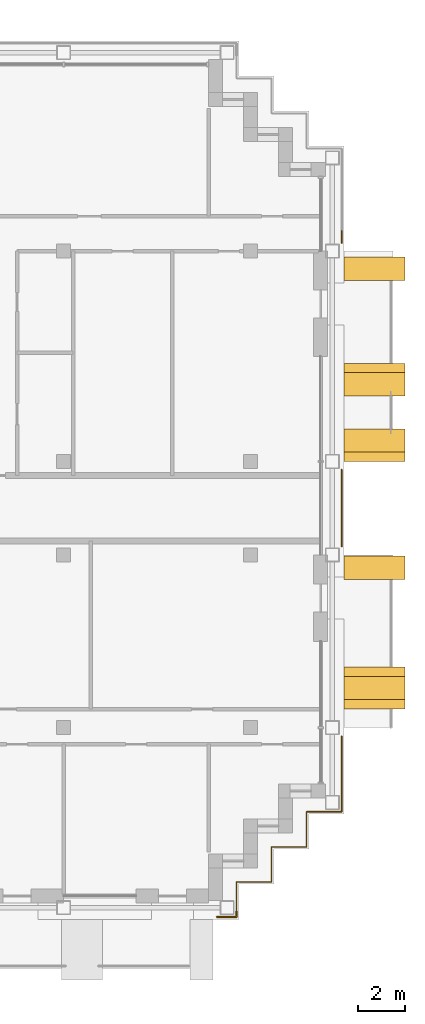
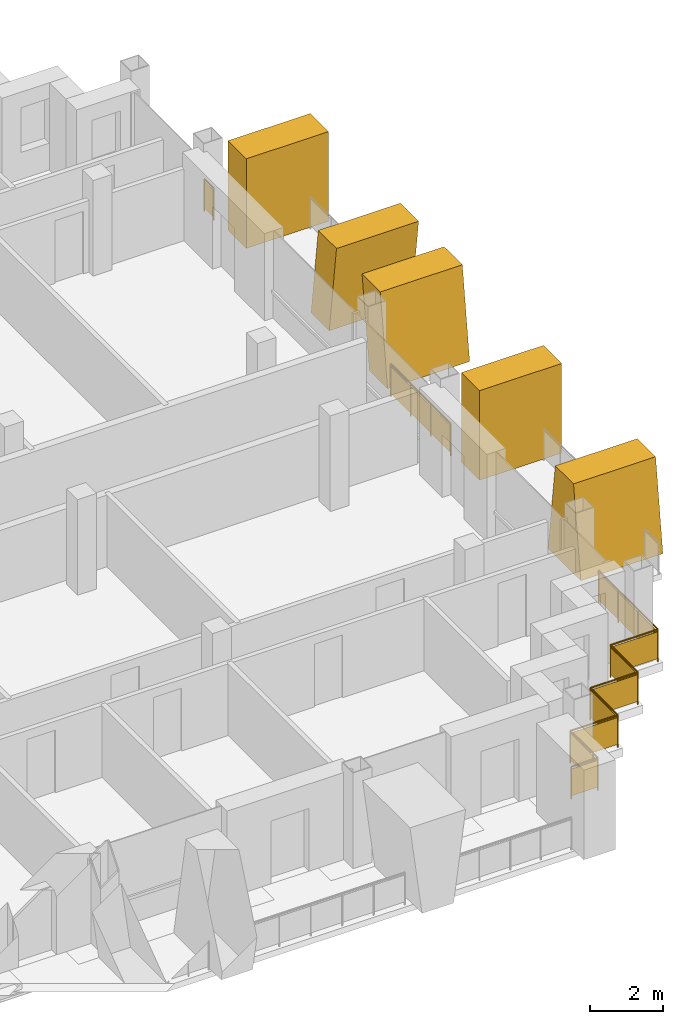
# One storey, part 13 of 15: 5 shading devices, 4 railings.
"""IFC4 building model written with IfcOpenShell, lengths in metres."""

from ifc_helpers import new_model, si_unit, direction, frame, origin, origin_2d, place, context, subcontext, project, spatial, polyline, rectangle, circle, outline, extrude, material, layer, layer_set, type_object, element, save


model = new_model("IFC4")

# Units and contexts
model_context = context("Model", 3, precision=1e-05, world=origin(), true_north=direction((0.0, 1.0)))
body_context = subcontext(model_context, "Body", "Model", "MODEL_VIEW")
ifc_project = project(units=[si_unit("LENGTHUNIT", "METRE"), si_unit("AREAUNIT", "SQUARE_METRE"), si_unit("VOLUMEUNIT", "CUBIC_METRE"), si_unit("PLANEANGLEUNIT", "RADIAN"), si_unit("MASSUNIT", "GRAM", prefix="KILO")], contexts=[model_context])

# Site, building, storey
site_placement = place(None, origin())
site = spatial("IfcSite", under=ifc_project, at=site_placement, CompositionType="ELEMENT")
building_placement = place(site_placement, origin())
building = spatial("IfcBuilding", under=site, at=building_placement, Name="Vidyagriha Tower", CompositionType="ELEMENT")
storey_placement = place(building_placement, frame((0.0, 0.0, 233.199951171875)))
storey = spatial("IfcBuildingStorey", under=building, at=storey_placement, Name="L61", CompositionType="ELEMENT", Elevation=233.199951171875)

# Shading devices
ifc_material_1 = material(Name="Precast concrete C40/50 with buff brick facing", Category="concrete")
ifc_layer_1 = layer(ifc_material_1, 1.0)
ifc_layer_set_1 = layer_set([ifc_layer_1], Name="Precast concrete C40/50 with buff brick facing")
shading_device_type_1 = type_object("IfcShadingDeviceType", Name="Brick-faced blade fin arm leaning 8 degrees", PredefinedType="USERDEFINED", material=ifc_layer_set_1)
shading_device_1_placement = place(storey_placement, frame((31.300048828125, 4.800048828125, 0.0), z_axis=(0.0, 0.0, 1.0), x_axis=(0.0, 1.0, 0.0)))
element("IfcShadingDevice", 1, at=shading_device_1_placement, inside=storey, type_object=shading_device_type_1, Name="Leaning blade fin L61 R30.1380a", ObjectType="BLADE FIN", PredefinedType="USERDEFINED", context=body_context, shape_type="SweptSolid", body=[
    extrude(outline(polyline([(0.39990234375, 0.0), (1.39990234375, 0.0), (1.0, 3.0), (0.0, 3.0), (0.39990234375, 0.0)])), frame((0.0, 1.300048828125, 0.0), z_axis=(0.0, -1.0, 0.0), x_axis=(1.0, 0.0, 0.0)), (0.0, 0.0, 1.0), 2.60009765625),
])
shading_device_2_placement = place(storey_placement, frame((31.300048828125, 2.0, 0.0), z_axis=(0.0, 0.0, 1.0), x_axis=(0.0, 1.0, 0.0)))
element("IfcShadingDevice", 2, at=shading_device_2_placement, inside=storey, type_object=shading_device_type_1, Name="Leaning blade fin L61 R30.1380b", ObjectType="BLADE FIN", PredefinedType="USERDEFINED", context=body_context, shape_type="SweptSolid", body=[
    extrude(outline(polyline([(0.0, 0.0), (1.0, 0.0), (1.39990234375, 3.0), (0.39990234375, 3.0), (0.0, 0.0)])), frame((0.0, 1.300048828125, 0.0), z_axis=(0.0, -1.0, 0.0), x_axis=(1.0, 0.0, 0.0)), (0.0, 0.0, 1.0), 2.60009765625),
])
ifc_material_2 = material(Name="Precast concrete C40/50 with buff brick facing", Category="concrete")
ifc_layer_2 = layer(ifc_material_2, 1.0)
ifc_layer_set_2 = layer_set([ifc_layer_2], Name="Precast concrete C40/50 with buff brick facing")
shading_device_type_2 = type_object("IfcShadingDeviceType", Name="Brick-faced blade fin forking 8 degrees", PredefinedType="USERDEFINED", material=ifc_layer_set_2)
shading_device_3_placement = place(storey_placement, frame((31.300048828125, -8.60009765625, 0.0), z_axis=(0.0, 0.0, 1.0), x_axis=(0.0, 1.0, 0.0)))
element("IfcShadingDevice", 3, at=shading_device_3_placement, inside=storey, type_object=shading_device_type_2, Name="Forked blade fin L61 R30.240a", ObjectType="BLADE FIN", PredefinedType="USERDEFINED", context=body_context, shape_type="SweptSolid", body=[
    extrude(outline(polyline([(0.0, 0.0), (1.800048828125, 0.0), (1.39990234375, 3.0), (0.39990234375, 3.0), (0.0, 0.0)])), frame((0.0, 1.300048828125, 0.0), z_axis=(0.0, -1.0, 0.0), x_axis=(1.0, 0.0, 0.0)), (0.0, 0.0, 1.0), 2.60009765625),
])
ifc_material_3 = material(Name="Precast concrete C40/50 with buff brick facing", Category="concrete")
ifc_layer_3 = layer(ifc_material_3, 1.0)
ifc_layer_set_3 = layer_set([ifc_layer_3], Name="Precast concrete C40/50 with buff brick facing")
shading_device_type_3 = type_object("IfcShadingDeviceType", Name="Brick-faced blade fin stem 1000", PredefinedType="USERDEFINED", material=ifc_layer_set_3)
for number, where, z_axis, x_axis, name in (
    (4, (31.300048828125, -3.050048828125, 0.0), (0.0, 0.0, 1.0), (0.0, 1.0, 0.0), "Stem blade fin L61 R30.980a"),
    (5, (31.300048828125, 9.75, 0.0), (0.0, 0.0, 1.0), (0.0, 1.0, 0.0), "Stem blade fin L61 R30.2280a"),
):
    element("IfcShadingDevice", number, at=place(storey_placement, frame(where, z_axis=z_axis, x_axis=x_axis)), inside=storey, type_object=shading_device_type_3, Name=name, ObjectType="BLADE FIN", PredefinedType="USERDEFINED", context=body_context, shape_type="SweptSolid", body=[
        extrude(outline(polyline([(0.0, 0.0), (1.0, 0.0), (1.0, 3.0), (0.0, 3.0), (0.0, 0.0)])), frame((0.0, 1.300048828125, 0.0), z_axis=(0.0, -1.0, 0.0), x_axis=(1.0, 0.0, 0.0)), (0.0, 0.0, 1.0), 2.60009765625),
    ])

# Railings
ifc_material_4 = material(Name="Steel ASTM A500 Grade C black painted", Category="steel")
railing_type = type_object("IfcRailingType", Name="Gallery guard 1100", PredefinedType="GUARDRAIL", material=ifc_material_4)
railing_1_placement = place(storey_placement, frame((29.89990234375, 11.8701171875, 0.0)))
element("IfcRailing", 6, at=railing_1_placement, inside=storey, type_object=railing_type, Name="Gallery guard L61 9", PredefinedType="GUARDRAIL", context=body_context, shape_type="SweptSolid", body=[
    extrude(circle(Radius=0.02490234375, at=origin_2d()), frame((0.0, 0.0, 1.0751953125), z_axis=(0.0, -1.0, 0.0), x_axis=(1.0, 0.0, 0.0)), (0.0, 0.0, 1.0), 0.510009765625),
    extrude(circle(Radius=0.02001953125, at=origin_2d()), origin(), (0.0, 0.0, 1.0), 1.050048828125),
    extrude(circle(Radius=0.02001953125, at=origin_2d()), frame((0.0, -0.510009765625, 0.0)), (0.0, 0.0, 1.0), 1.050048828125),
    extrude(rectangle(XDim=0.010009765625, YDim=0.900146484375, at=origin_2d()), frame((0.0, 0.0, 0.550048828125), z_axis=(0.0, -1.0, 0.0), x_axis=(1.0, 0.0, 0.0)), (0.0, 0.0, 1.0), 0.510009765625),
])
railing_2_placement = place(storey_placement, frame((29.89990234375, -9.760009765625, 0.0)))
element("IfcRailing", 7, at=railing_2_placement, inside=storey, type_object=railing_type, Name="Gallery guard L61 10", PredefinedType="GUARDRAIL", context=body_context, shape_type="SweptSolid", body=[
    extrude(circle(Radius=0.02490234375, at=origin_2d()), frame((0.0, 0.0, 1.0751953125), z_axis=(0.0, -1.0, 0.0), x_axis=(1.0, 0.0, 0.0)), (0.0, 0.0, 1.0), 3.239990234375),
    extrude(circle(Radius=0.02490234375, at=origin_2d()), frame((0.0, -3.239990234375, 1.0751953125), z_axis=(-1.0, 0.0, 0.0), x_axis=(0.0, -1.0, 0.0)), (0.0, 0.0, 1.0), 1.5),
    extrude(circle(Radius=0.02490234375, at=origin_2d()), frame((-1.5, -3.239990234375, 1.0751953125), z_axis=(0.0, -1.0, 0.0), x_axis=(1.0, 0.0, 0.0)), (0.0, 0.0, 1.0), 1.5),
    extrude(circle(Radius=0.02490234375, at=origin_2d()), frame((-1.5, -4.739990234375, 1.0751953125), z_axis=(-1.0, 0.0, 0.0), x_axis=(0.0, -1.0, 0.0)), (0.0, 0.0, 1.0), 1.5),
    extrude(circle(Radius=0.02490234375, at=origin_2d()), frame((-3.0, -4.739990234375, 1.0751953125), z_axis=(0.0, -1.0, 0.0), x_axis=(1.0, 0.0, 0.0)), (0.0, 0.0, 1.0), 1.5),
    extrude(circle(Radius=0.02490234375, at=origin_2d()), frame((-3.0, -6.239990234375, 1.0751953125), z_axis=(-1.0, 0.0, 0.0), x_axis=(0.0, -1.0, 0.0)), (0.0, 0.0, 1.0), 1.5),
    extrude(circle(Radius=0.02490234375, at=origin_2d()), frame((-4.5, -6.239990234375, 1.0751953125), z_axis=(0.0, -1.0, 0.0), x_axis=(1.0, 0.0, 0.0)), (0.0, 0.0, 1.0), 1.260009765625),
    extrude(circle(Radius=0.02001953125, at=origin_2d()), origin(), (0.0, 0.0, 1.0), 1.050048828125),
    extrude(circle(Radius=0.02001953125, at=origin_2d()), frame((0.0, -1.080078125, 0.0)), (0.0, 0.0, 1.0), 1.050048828125),
    extrude(circle(Radius=0.02001953125, at=origin_2d()), frame((0.0, -2.159912109375, 0.0)), (0.0, 0.0, 1.0), 1.050048828125),
    extrude(circle(Radius=0.02001953125, at=origin_2d()), frame((0.0, -3.239990234375, 0.0)), (0.0, 0.0, 1.0), 1.050048828125),
    extrude(circle(Radius=0.02001953125, at=origin_2d()), frame((-1.5, -3.239990234375, 0.0)), (0.0, 0.0, 1.0), 1.050048828125),
    extrude(circle(Radius=0.02001953125, at=origin_2d()), frame((-1.5, -4.739990234375, 0.0)), (0.0, 0.0, 1.0), 1.050048828125),
    extrude(circle(Radius=0.02001953125, at=origin_2d()), frame((-3.0, -4.739990234375, 0.0)), (0.0, 0.0, 1.0), 1.050048828125),
    extrude(circle(Radius=0.02001953125, at=origin_2d()), frame((-3.0, -6.239990234375, 0.0)), (0.0, 0.0, 1.0), 1.050048828125),
    extrude(circle(Radius=0.02001953125, at=origin_2d()), frame((-4.5, -6.239990234375, 0.0)), (0.0, 0.0, 1.0), 1.050048828125),
    extrude(circle(Radius=0.02001953125, at=origin_2d()), frame((-4.5, -7.5, 0.0)), (0.0, 0.0, 1.0), 1.050048828125),
    extrude(rectangle(XDim=0.010009765625, YDim=0.900146484375, at=origin_2d()), frame((0.0, 0.0, 0.550048828125), z_axis=(0.0, -1.0, 0.0), x_axis=(1.0, 0.0, 0.0)), (0.0, 0.0, 1.0), 3.239990234375),
    extrude(rectangle(XDim=0.010009765625, YDim=0.900146484375, at=origin_2d()), frame((0.0, -3.239990234375, 0.550048828125), z_axis=(-1.0, 0.0, 0.0), x_axis=(0.0, -1.0, 0.0)), (0.0, 0.0, 1.0), 1.5),
    extrude(rectangle(XDim=0.010009765625, YDim=0.900146484375, at=origin_2d()), frame((-1.5, -3.239990234375, 0.550048828125), z_axis=(0.0, -1.0, 0.0), x_axis=(1.0, 0.0, 0.0)), (0.0, 0.0, 1.0), 1.5),
    extrude(rectangle(XDim=0.010009765625, YDim=0.900146484375, at=origin_2d()), frame((-1.5, -4.739990234375, 0.550048828125), z_axis=(-1.0, 0.0, 0.0), x_axis=(0.0, -1.0, 0.0)), (0.0, 0.0, 1.0), 1.5),
    extrude(rectangle(XDim=0.010009765625, YDim=0.900146484375, at=origin_2d()), frame((-3.0, -4.739990234375, 0.550048828125), z_axis=(0.0, -1.0, 0.0), x_axis=(1.0, 0.0, 0.0)), (0.0, 0.0, 1.0), 1.5),
    extrude(rectangle(XDim=0.010009765625, YDim=0.900146484375, at=origin_2d()), frame((-3.0, -6.239990234375, 0.550048828125), z_axis=(-1.0, 0.0, 0.0), x_axis=(0.0, -1.0, 0.0)), (0.0, 0.0, 1.0), 1.5),
    extrude(rectangle(XDim=0.010009765625, YDim=0.900146484375, at=origin_2d()), frame((-4.5, -6.239990234375, 0.550048828125), z_axis=(0.0, -1.0, 0.0), x_axis=(1.0, 0.0, 0.0)), (0.0, 0.0, 1.0), 1.260009765625),
])
railing_3_placement = place(storey_placement, frame((25.39990234375, -17.260009765625, 0.0)))
element("IfcRailing", 8, at=railing_3_placement, inside=storey, type_object=railing_type, Name="Gallery guard L61 11", PredefinedType="GUARDRAIL", context=body_context, shape_type="SweptSolid", body=[
    extrude(circle(Radius=0.02490234375, at=origin_2d()), frame((0.0, 0.0, 1.0751953125), z_axis=(0.0, -1.0, 0.0), x_axis=(1.0, 0.0, 0.0)), (0.0, 0.0, 1.0), 0.239990234375),
    extrude(circle(Radius=0.02490234375, at=origin_2d()), frame((0.0, -0.239990234375, 1.0751953125), z_axis=(-1.0, 0.0, 0.0), x_axis=(0.0, -1.0, 0.0)), (0.0, 0.0, 1.0), 0.83984375),
    extrude(circle(Radius=0.02001953125, at=origin_2d()), origin(), (0.0, 0.0, 1.0), 1.050048828125),
    extrude(circle(Radius=0.02001953125, at=origin_2d()), frame((0.0, -0.239990234375, 0.0)), (0.0, 0.0, 1.0), 1.050048828125),
    extrude(circle(Radius=0.02001953125, at=origin_2d()), frame((-0.83984375, -0.239990234375, 0.0)), (0.0, 0.0, 1.0), 1.050048828125),
    extrude(rectangle(XDim=0.010009765625, YDim=0.900146484375, at=origin_2d()), frame((0.0, 0.0, 0.550048828125), z_axis=(0.0, -1.0, 0.0), x_axis=(1.0, 0.0, 0.0)), (0.0, 0.0, 1.0), 0.239990234375),
    extrude(rectangle(XDim=0.010009765625, YDim=0.900146484375, at=origin_2d()), frame((0.0, -0.239990234375, 0.550048828125), z_axis=(-1.0, 0.0, 0.0), x_axis=(0.0, -1.0, 0.0)), (0.0, 0.0, 1.0), 0.83984375),
])
railing_4_placement = place(storey_placement, frame((29.89990234375, 1.639892578125, 0.0)))
element("IfcRailing", 9, at=railing_4_placement, inside=storey, type_object=railing_type, Name="Gallery guard L61 12", PredefinedType="GUARDRAIL", context=body_context, shape_type="SweptSolid", body=[
    extrude(circle(Radius=0.02490234375, at=origin_2d()), frame((0.0, 0.0, 1.0751953125), z_axis=(0.0, -1.0, 0.0), x_axis=(1.0, 0.0, 0.0)), (0.0, 0.0, 1.0), 3.27978515625),
    extrude(circle(Radius=0.02001953125, at=origin_2d()), origin(), (0.0, 0.0, 1.0), 1.050048828125),
    extrude(circle(Radius=0.02001953125, at=origin_2d()), frame((0.0, -1.09326171875, 0.0)), (0.0, 0.0, 1.0), 1.050048828125),
    extrude(circle(Radius=0.02001953125, at=origin_2d()), frame((0.0, -2.1865234375, 0.0)), (0.0, 0.0, 1.0), 1.050048828125),
    extrude(circle(Radius=0.02001953125, at=origin_2d()), frame((0.0, -3.27978515625, 0.0)), (0.0, 0.0, 1.0), 1.050048828125),
    extrude(rectangle(XDim=0.010009765625, YDim=0.900146484375, at=origin_2d()), frame((0.0, 0.0, 0.550048828125), z_axis=(0.0, -1.0, 0.0), x_axis=(1.0, 0.0, 0.0)), (0.0, 0.0, 1.0), 3.27978515625),
])

save(model, "model.ifc")
